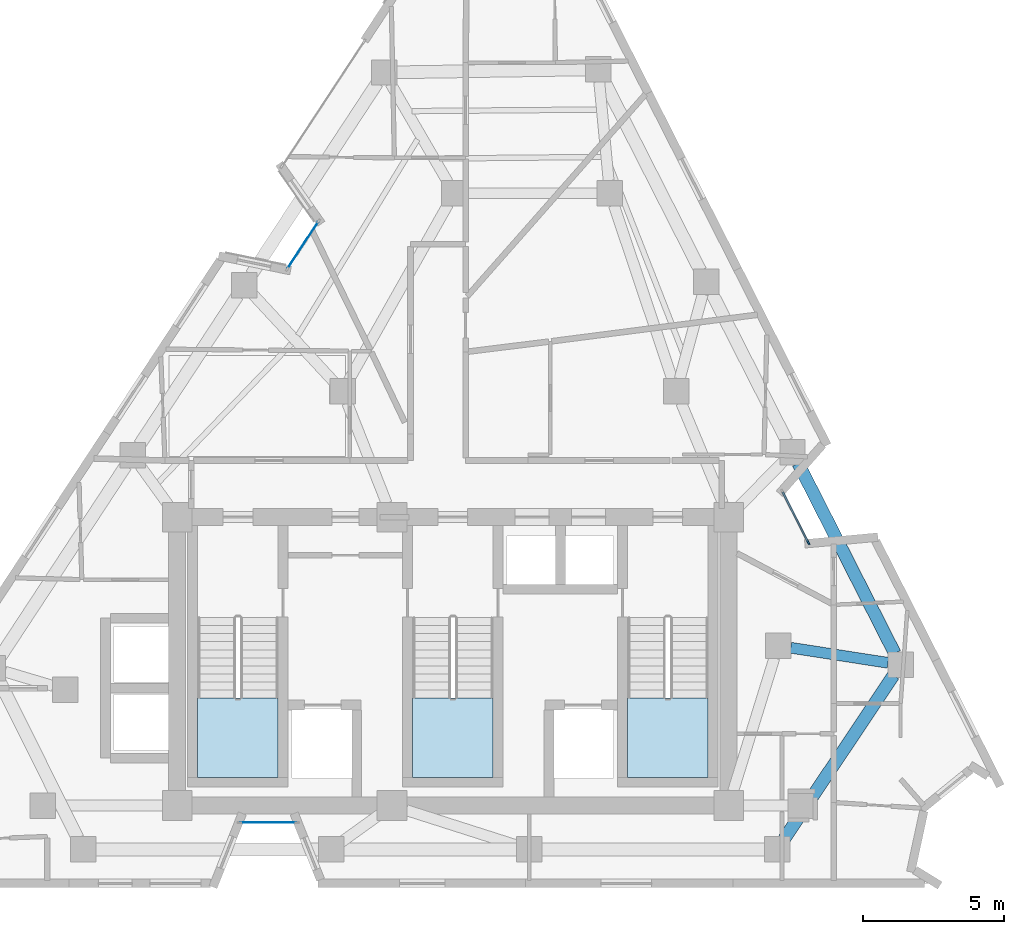
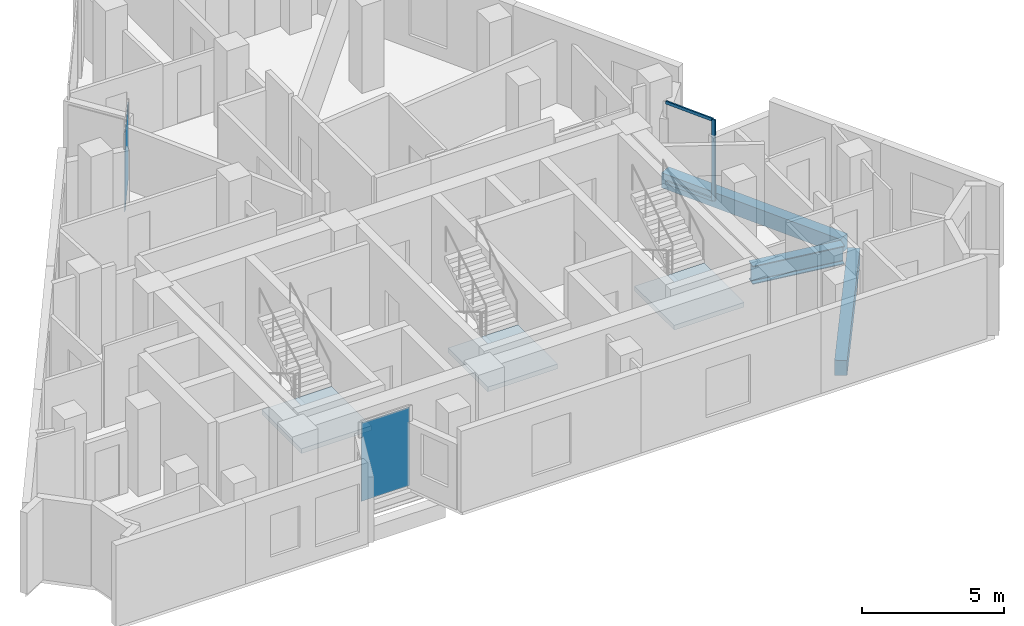
# One storey, part 4 of 10: 3 beams, 3 members, 3 slabs, 2 plates, 6 elements without a shape of their own.
"""IFC4 building model written with IfcOpenShell, lengths in metres."""

import ifcopenshell
import ifcopenshell.guid

model = None  # the IFC model being written
_history = None  # IfcOwnerHistory: only IFC2X3 demands one
_inside = {}  # id of a spatial element -> (the spatial element, [elements in it])
_under = {}  # id of a project, library or spatial element -> (it, [spatial elements below it])
_declared = {}  # id of a project -> (the project, [libraries it declares])
_typed = {}  # id of a type object -> (the type object, [elements of that type])
_made_of = {}  # id of a material, layer set ... -> (it, [elements and type objects made of it])


def new_model(schema):
    """Start an empty IFC model of exactly this schema.

    Asked for "IFC4X3", IfcOpenShell would pick the latest addendum, in which some entities
    have other attributes; the version numbers below select the first issue.
    IFC2X3 requires an IfcOwnerHistory on every rooted entity: one is made here for all.
    """
    global model, _history
    if schema == "IFC4X3":
        model = ifcopenshell.file(schema_version=(4, 3, 0, 0))
    else:
        model = ifcopenshell.file(schema=schema)
    _inside.clear()
    _under.clear()
    _declared.clear()
    _typed.clear()
    _made_of.clear()
    _history = None
    if model.schema == "IFC2X3":
        org = make("IfcOrganization", Name="unknown")
        user = make(
            "IfcPersonAndOrganization",
            ThePerson=make("IfcPerson", FamilyName="unknown"),
            TheOrganization=org,
        )
        app = make(
            "IfcApplication",
            ApplicationDeveloper=org,
            Version="unknown",
            ApplicationFullName="unknown",
            ApplicationIdentifier="unknown",
        )
        _history = make(
            "IfcOwnerHistory",
            OwningUser=user,
            OwningApplication=app,
            ChangeAction="ADDED",
            CreationDate=0,
        )
    return model


def make(cls, **values):
    """One entity of the class cls with the attributes given. An attribute that is None is left unset."""
    return model.create_entity(
        cls, **{name: value for name, value in values.items() if value is not None}
    )


def rooted(cls, **values):
    """An entity with a GlobalId (a new one), such as an element, a storey or a relation."""
    return make(cls, GlobalId=ifcopenshell.guid.new(), OwnerHistory=_history, **values)


def si_unit(unit_type, name, prefix=None):
    """IfcSIUnit, for example si_unit("LENGTHUNIT", "METRE", prefix="MILLI")."""
    return make("IfcSIUnit", UnitType=unit_type, Prefix=prefix, Name=name)


def assignment(units):
    """IfcUnitAssignment: the units of a project."""
    return None if units is None else make("IfcUnitAssignment", Units=units)


def point(xyz):
    """IfcCartesianPoint."""
    return None if xyz is None else make("IfcCartesianPoint", Coordinates=xyz)


def direction(xyz):
    """IfcDirection."""
    return None if xyz is None else make("IfcDirection", DirectionRatios=xyz)


def frame(location, z_axis=None, x_axis=None):
    """IfcAxis2Placement3D, a coordinate frame: its origin and axes. An axis left out is left unset."""
    return make(
        "IfcAxis2Placement3D",
        Location=point(location),
        Axis=direction(z_axis),
        RefDirection=direction(x_axis),
    )


def frame_2d(location, x_axis=None):
    """IfcAxis2Placement2D, a coordinate frame in the plane: its origin and x axis."""
    return make(
        "IfcAxis2Placement2D", Location=point(location), RefDirection=direction(x_axis)
    )


def origin():
    """The frame at (0, 0, 0) with its axes left unset."""
    return frame((0.0, 0.0, 0.0))


def origin_2d():
    """The frame at (0, 0) in the plane with its x axis left unset."""
    return frame_2d((0.0, 0.0))


def place(relative_to, where):
    """IfcLocalPlacement: puts the frame where relative to a parent placement (None: the world)."""
    return make(
        "IfcLocalPlacement", PlacementRelTo=relative_to, RelativePlacement=where
    )


def context(
    kind, dimensions, precision=None, world=None, true_north=None, identifier=None
):
    """IfcGeometricRepresentationContext, for example the 3D "Model" context."""
    return make(
        "IfcGeometricRepresentationContext",
        ContextIdentifier=identifier,
        ContextType=kind,
        CoordinateSpaceDimension=dimensions,
        Precision=precision,
        WorldCoordinateSystem=world,
        TrueNorth=true_north,
    )


def subcontext(parent, identifier, kind, view, scale=None):
    """IfcGeometricRepresentationSubContext, for example "Body" below "Model"."""
    return make(
        "IfcGeometricRepresentationSubContext",
        ContextIdentifier=identifier,
        ContextType=kind,
        ParentContext=parent,
        TargetScale=scale,
        TargetView=view,
    )


def project(units=None, contexts=None):
    """IfcProject with its units and contexts."""
    return rooted(
        "IfcProject",
        Name="project",
        RepresentationContexts=contexts,
        UnitsInContext=assignment(units),
    )


def spatial(cls, under=None, at=None, **own):
    """A site, building, storey or space (cls), placed at a placement, below another one or the project."""
    s = rooted(cls, ObjectPlacement=at, **own)
    if under is not None:
        _under.setdefault(under.id(), (under, []))[1].append(s)
    return s


def polyline(points):
    """IfcPolyline through the points."""
    return make("IfcPolyline", Points=[point(p) for p in points])


def profile(cls, at=None, kind="AREA", **sizes):
    """A parametric profile (cls). Its sizes go by their IFC names, for example OverallWidth=200.0."""
    return make(cls, ProfileType=kind, Position=at, **sizes)


def rectangle(**sizes):
    """IfcRectangleProfileDef."""
    return profile("IfcRectangleProfileDef", **sizes)


def i_section(**sizes):
    """IfcIShapeProfileDef."""
    return profile("IfcIShapeProfileDef", **sizes)


def outline(outer, holes=None, kind="AREA"):
    """IfcArbitraryClosedProfileDef: a profile drawn as a closed curve; with holes, ...WithVoids."""
    if holes is None:
        return make("IfcArbitraryClosedProfileDef", ProfileType=kind, OuterCurve=outer)
    return make(
        "IfcArbitraryProfileDefWithVoids",
        ProfileType=kind,
        OuterCurve=outer,
        InnerCurves=holes,
    )


def extrude(swept, where, along, depth):
    """IfcExtrudedAreaSolid: the profile swept, set in the frame where, extruded along a direction by depth."""
    return make(
        "IfcExtrudedAreaSolid",
        SweptArea=swept,
        Position=where,
        ExtrudedDirection=direction(along),
        Depth=depth,
    )


def shape(context_of_items, identifier, shape_type, items):
    """IfcShapeRepresentation: the items that make up one representation, for example the "Body"."""
    return make(
        "IfcShapeRepresentation",
        ContextOfItems=context_of_items,
        RepresentationIdentifier=identifier,
        RepresentationType=shape_type,
        Items=items,
    )


def material(Name=None, Category=None):
    """IfcMaterial."""
    return make("IfcMaterial", Name=Name, Category=Category)


def layer(
    of_material, thickness, ventilated=None, Name=None, Category=None, Priority=None
):
    """IfcMaterialLayer: one layer of a wall or slab, of a material (None: an air gap)."""
    return make(
        "IfcMaterialLayer",
        Material=of_material,
        LayerThickness=thickness,
        IsVentilated=ventilated,
        Name=Name,
        Category=Category,
        Priority=Priority,
    )


def layer_set(layers, Name=None):
    """IfcMaterialLayerSet."""
    return make("IfcMaterialLayerSet", MaterialLayers=layers, LayerSetName=Name)


def material_profile(
    of_material, cross_section, Name=None, Category=None, Priority=None
):
    """IfcMaterialProfile: a cross section and its material."""
    return make(
        "IfcMaterialProfile",
        Name=Name,
        Material=of_material,
        Profile=cross_section,
        Priority=Priority,
        Category=Category,
    )


def profile_set(profiles, Name=None, composite=None):
    """IfcMaterialProfileSet."""
    return make(
        "IfcMaterialProfileSet",
        Name=Name,
        MaterialProfiles=profiles,
        CompositeProfile=composite,
    )


def made_of(thing, what):
    """Note that an element or type object is made of a material, layer set ...; save() writes the relation."""
    if what is not None:
        _made_of.setdefault(what.id(), (what, []))[1].append(thing)
    return thing


def type_object(cls, material=None, **own):
    """A type object (cls), such as IfcWallType, which elements share."""
    return made_of(rooted(cls, **own), material)


def element(
    cls,
    number,
    at=None,
    inside=None,
    cuts=None,
    type_object=None,
    material=None,
    context=None,
    identifier="Body",
    shape_type=None,
    held_by="IfcProductDefinitionShape",
    body=None,
    shapes=None,
    **own,
):
    """One element of the class cls, such as IfcWall. Its Tag is "e" and its number.

    at: its placement. inside: the storey or other place that contains it. cuts: it is an
    opening in that element (IfcRelVoidsElement). A single representation is given by context,
    identifier, shape_type and body (its items); several are given by shapes. held_by: the class
    of the entity that holds the representations. save() writes the other relations.
    """
    e = rooted(cls, Tag="e%d" % number, ObjectPlacement=at, **own)
    if body is not None:
        shapes = [shape(context, identifier, shape_type, body)]
    if shapes is not None:
        e.Representation = make(held_by, Representations=shapes)
    if inside is not None:
        _inside.setdefault(inside.id(), (inside, []))[1].append(e)
    if cuts is not None:
        rooted(
            "IfcRelVoidsElement", RelatingBuildingElement=cuts, RelatedOpeningElement=e
        )
    if type_object is not None:
        _typed.setdefault(type_object.id(), (type_object, []))[1].append(e)
    return made_of(e, material)


def aggregate(whole, parts):
    """IfcRelAggregates: a whole, such as a stair, and the parts it consists of."""
    return rooted("IfcRelAggregates", RelatingObject=whole, RelatedObjects=parts)


def save(model, path):
    """Write the relations noted so far, then the file.

    IfcRelAggregates (storeys below a building ...), IfcRelContainedInSpatialStructure (elements
    in a storey), IfcRelDefinesByType, IfcRelAssociatesMaterial and IfcRelDeclares: one each for
    every whole, place, type object, material and project.
    """
    for whole, parts in _under.values():
        aggregate(whole, parts)
    for where, things in _inside.values():
        rooted(
            "IfcRelContainedInSpatialStructure",
            RelatedElements=things,
            RelatingStructure=where,
        )
    for kind, things in _typed.values():
        rooted("IfcRelDefinesByType", RelatedObjects=things, RelatingType=kind)
    for what, things in _made_of.values():
        rooted("IfcRelAssociatesMaterial", RelatedObjects=things, RelatingMaterial=what)
    for by, libraries in _declared.values():
        rooted("IfcRelDeclares", RelatingContext=by, RelatedDefinitions=libraries)
    model.write(path)


model = new_model("IFC4")

# Units and contexts
model_context = context("Model", 3, precision=1e-05, world=origin(), true_north=direction((0.0, 1.0)))
body_context = subcontext(model_context, "Body", "Model", "MODEL_VIEW")
ifc_project = project(units=[si_unit("LENGTHUNIT", "METRE"), si_unit("AREAUNIT", "SQUARE_METRE"), si_unit("VOLUMEUNIT", "CUBIC_METRE"), si_unit("PLANEANGLEUNIT", "RADIAN"), si_unit("MASSUNIT", "GRAM", prefix="KILO")], contexts=[model_context])

# Site, building, storey
site_placement = place(None, origin())
site = spatial("IfcSite", under=ifc_project, at=site_placement, CompositionType="ELEMENT")
building_placement = place(site_placement, origin())
building = spatial("IfcBuilding", under=site, at=building_placement, Name="Almagre Mirador Tower", CompositionType="ELEMENT")
storey_placement = place(building_placement, frame((0.0, 0.0, 233.25)))
storey = spatial("IfcBuildingStorey", under=building, at=storey_placement, Name="L60", CompositionType="ELEMENT", Elevation=233.25)

# Beams
ifc_material_1 = material(Name="Precast concrete C50/60", Category="concrete")
ifc_material_profile_1 = material_profile(ifc_material_1, rectangle(XDim=0.449951171875, YDim=0.64990234375, at=origin_2d()), Name="RC450X650")
ifc_profile_set_1 = profile_set([ifc_material_profile_1], Name="Precast concrete C50/60")
beam_type_1 = type_object("IfcBeamType", Name="BM-SPN-RC450X650", PredefinedType="SPANDREL", material=ifc_profile_set_1)
beam_1_placement = place(storey_placement, frame((49.01416015625, 3.3740234375, -0.574951171875), z_axis=(0.555688352968, 0.831390674939, 0.0), x_axis=(-0.831390674939, 0.555688352968, 0.0)))
element("IfcBeam", 1, at=beam_1_placement, inside=storey, type_object=beam_type_1, Name="L60 perimeter spandrel beam PC04-PC05", PredefinedType="SPANDREL", context=body_context, shape_type="SweptSolid", body=[
    extrude(rectangle(XDim=0.449951171875, YDim=0.64990234375, at=origin_2d()), origin(), (0.0, 0.0, 1.0), 6.953125),
])
beam_2_placement = place(storey_placement, frame((52.92431640625, 9.93017578125, -0.574951171875), z_axis=(-0.452920240804, 0.891551039184, 0.0), x_axis=(-0.891551039184, -0.452920240804, 0.0)))
element("IfcBeam", 2, at=beam_2_placement, inside=storey, type_object=beam_type_1, Name="L60 perimeter spandrel beam PC05-PC06", PredefinedType="SPANDREL", context=body_context, shape_type="SweptSolid", body=[
    extrude(rectangle(XDim=0.449951171875, YDim=0.64990234375, at=origin_2d()), origin(), (0.0, 0.0, 1.0), 7.53466796875),
])
ifc_material_2 = material(Name="Steel ASTM A992 Grade 50", Category="steel")
ifc_material_profile_2 = material_profile(ifc_material_2, i_section(OverallWidth=0.384033203125, OverallDepth=0.784912109375, WebThickness=0.019775390625, FlangeThickness=0.033447265625, FilletRadius=0.02392578125, at=origin_2d()), Name="W30X211")
ifc_profile_set_2 = profile_set([ifc_material_profile_2], Name="Steel ASTM A992 Grade 50")
beam_type_2 = type_object("IfcBeamType", Name="BM-STL-W30X211", PredefinedType="BEAM", material=ifc_profile_set_2)
beam_3_placement = place(storey_placement, frame((52.683349609375, 9.597900390625, -0.642578125), z_axis=(-0.988190943166, 0.153227477449, 0.0), x_axis=(-0.153227477449, -0.988190943166, 0.0)))
element("IfcBeam", 3, at=beam_3_placement, inside=storey, type_object=beam_type_2, Name="L60 radial floor girder PC05-MC3", PredefinedType="BEAM", context=body_context, shape_type="SweptSolid", body=[
    extrude(i_section(OverallWidth=0.384033203125, OverallDepth=0.784912109375, WebThickness=0.019775390625, FlangeThickness=0.033447265625, FilletRadius=0.02392578125, at=origin_2d()), origin(), (0.0, 0.0, 1.0), 3.479736328125),
])

# Curtain wall, members
ifc_material_3 = material(Name="Black anodized aluminium", Category="aluminium")
ifc_layer_1 = layer(ifc_material_3, 0.169921875)
ifc_layer_set_1 = layer_set([ifc_layer_1], Name="Black anodized aluminium")
curtain_wall_type = type_object("IfcCurtainWallType", Name="CW-CRS-SYS", PredefinedType="NOTDEFINED", material=ifc_layer_set_1)
curtain_wall_1_placement = place(storey_placement, origin())
curtain_wall_1 = element("IfcCurtainWall", 4, at=curtain_wall_1_placement, inside=storey, type_object=curtain_wall_type, Name="L60 vertical crease curtain wall 03", PredefinedType="NOTDEFINED")
ifc_material_4 = material(Name="Black anodized aluminium", Category="aluminium")
ifc_material_profile_3 = material_profile(ifc_material_4, rectangle(XDim=0.06005859375, YDim=0.14990234375, at=origin_2d()), Name="CWM60X150")
ifc_profile_set_3 = profile_set([ifc_material_profile_3], Name="Black anodized aluminium")
member_type_1 = type_object("IfcMemberType", Name="MBR-CWM60X150", PredefinedType="MULLION", material=ifc_profile_set_3)
member_1_placement = place(storey_placement, frame((49.869384765625, 13.8466796875, 0.0), z_axis=(0.0, 0.0, 1.0), x_axis=(0.891440826217, 0.453137124227, 0.0)))
member_1 = element("IfcMember", 5, at=member_1_placement, type_object=member_type_1, Name="CW-4 mullion 2", PredefinedType="MULLION", context=body_context, shape_type="SweptSolid", body=[
    extrude(rectangle(XDim=0.06005859375, YDim=0.14990234375, at=origin_2d()), origin(), (0.0, 0.0, 1.0), 3.5),
])
ifc_material_5 = material(Name="Black anodized aluminium", Category="aluminium")
ifc_material_profile_4 = material_profile(ifc_material_5, rectangle(XDim=0.06005859375, YDim=0.1298828125, at=origin_2d()), Name="CWT60X130")
ifc_profile_set_4 = profile_set([ifc_material_profile_4], Name="Black anodized aluminium")
member_type_2 = type_object("IfcMemberType", Name="MBR-CWT60X130", PredefinedType="USERDEFINED", material=ifc_profile_set_4)
member_2_placement = place(storey_placement, frame((48.963134765625, 15.62939453125, 0.030029296875), z_axis=(0.453153196695, -0.89143265608, 0.0), x_axis=(0.89143265608, 0.453153196695, 0.0)))
member_2 = element("IfcMember", 6, at=member_2_placement, type_object=member_type_2, Name="CW-4 transom 1.1", ObjectType="TRANSOM", PredefinedType="USERDEFINED", context=body_context, shape_type="SweptSolid", body=[
    extrude(rectangle(XDim=0.06005859375, YDim=0.1298828125, at=origin_2d()), origin(), (0.0, 0.0, 1.0), 1.9697265625),
])
member_3_placement = place(storey_placement, frame((48.963134765625, 15.62939453125, 3.469970703125), z_axis=(0.453153196695, -0.89143265608, 0.0), x_axis=(0.89143265608, 0.453153196695, 0.0)))
member_3 = element("IfcMember", 7, at=member_3_placement, type_object=member_type_2, Name="CW-4 transom 1.2", ObjectType="TRANSOM", PredefinedType="USERDEFINED", context=body_context, shape_type="SweptSolid", body=[
    extrude(rectangle(XDim=0.06005859375, YDim=0.1298828125, at=origin_2d()), origin(), (0.0, 0.0, 1.0), 1.9697265625),
])
aggregate(curtain_wall_1, [member_1, member_2, member_3])

# Curtain wall, plate
curtain_wall_2_placement = place(storey_placement, origin())
curtain_wall_2 = element("IfcCurtainWall", 8, at=curtain_wall_2_placement, inside=storey, type_object=curtain_wall_type, Name="L60 vertical crease curtain wall 01", PredefinedType="NOTDEFINED")
ifc_material_6 = material(Name="Dark solar-control laminated hurricane glass", Category="glass")
ifc_layer_2 = layer(ifc_material_6, 0.028076171875)
ifc_layer_set_2 = layer_set([ifc_layer_2], Name="Dark solar-control laminated hurricane glass")
plate_type = type_object("IfcPlateType", Name="PLT-GLZ-28", PredefinedType="CURTAIN_PANEL", material=ifc_layer_set_2)
plate_1_placement = place(storey_placement, frame((31.99609375, 24.365478515625, 0.06005859375), z_axis=(0.0, 0.0, 1.0), x_axis=(0.549168341049, 0.835711752454, 0.0)))
plate_1 = element("IfcPlate", 9, at=plate_1_placement, type_object=plate_type, Name="CW-4 panel 1.1", PredefinedType="CURTAIN_PANEL", context=body_context, shape_type="SweptSolid", body=[
    extrude(rectangle(XDim=1.970458984375, YDim=0.028076171875, at=origin_2d()), origin(), (0.0, 0.0, 1.0), 3.3798828125),
])
aggregate(curtain_wall_2, [plate_1])

curtain_wall_3_placement = place(storey_placement, origin())
curtain_wall_3 = element("IfcCurtainWall", 10, at=curtain_wall_3_placement, inside=storey, type_object=curtain_wall_type, Name="L60 vertical crease curtain wall 04", PredefinedType="NOTDEFINED")
plate_2_placement = place(storey_placement, frame((30.77197265625, 3.949951171875, 0.06005859375), z_axis=(0.0, 0.0, 1.0), x_axis=(-1.0, 0.0, 0.0)))
plate_2 = element("IfcPlate", 11, at=plate_2_placement, type_object=plate_type, Name="CW-4 panel 1.1", PredefinedType="CURTAIN_PANEL", context=body_context, shape_type="SweptSolid", body=[
    extrude(rectangle(XDim=1.969970703125, YDim=0.028076171875, at=origin_2d()), origin(), (0.0, 0.0, 1.0), 3.3798828125),
])
aggregate(curtain_wall_3, [plate_2])

# Stair, slab
ifc_material_7 = material(Name="Concrete C45/55", Category="concrete")
stair_type = type_object("IfcStairType", Name="STR-DL-3750", PredefinedType="HALF_TURN_STAIR", material=ifc_material_7)
stair_1_placement = place(storey_placement, origin())
stair_1 = element("IfcStair", 12, at=stair_1_placement, inside=storey, type_object=stair_type, Name="L60 Protected exit stair ST-1", PredefinedType="HALF_TURN_STAIR")
ifc_material_8 = material(Name="Concrete C45/55", Category="concrete")
ifc_layer_3 = layer(ifc_material_8, 0.199951171875)
ifc_layer_set_3 = layer_set([ifc_layer_3], Name="Concrete C45/55")
slab_type = type_object("IfcSlabType", Name="SLB-LND-200", PredefinedType="LANDING", material=ifc_layer_set_3)
slab_1_placement = place(storey_placement, frame((0.0, 0.0, 1.675048828125)))
slab_1 = element("IfcSlab", 13, at=slab_1_placement, type_object=slab_type, Name="ST-1 landing 1", PredefinedType="LANDING", context=body_context, shape_type="SweptSolid", body=[
    extrude(outline(polyline([(28.27490234375, 8.35009765625), (28.27490234375, 5.550048828125), (31.125, 5.550048828125), (31.125, 8.35009765625), (28.27490234375, 8.35009765625)])), origin(), (0.0, 0.0, 1.0), 0.199951171875),
])
aggregate(stair_1, [slab_1])

stair_2_placement = place(storey_placement, origin())
stair_2 = element("IfcStair", 14, at=stair_2_placement, inside=storey, type_object=stair_type, Name="L60 Protected exit stair ST-2", PredefinedType="HALF_TURN_STAIR")
slab_2_placement = place(storey_placement, frame((0.0, 0.0, 1.675048828125)))
slab_2 = element("IfcSlab", 15, at=slab_2_placement, type_object=slab_type, Name="ST-2 landing 1", PredefinedType="LANDING", context=body_context, shape_type="SweptSolid", body=[
    extrude(outline(polyline([(35.875, 8.35009765625), (35.875, 5.550048828125), (38.72509765625, 5.550048828125), (38.72509765625, 8.35009765625), (35.875, 8.35009765625)])), origin(), (0.0, 0.0, 1.0), 0.199951171875),
])
aggregate(stair_2, [slab_2])

stair_3_placement = place(storey_placement, origin())
stair_3 = element("IfcStair", 16, at=stair_3_placement, inside=storey, type_object=stair_type, Name="L60 Protected exit stair ST-3", PredefinedType="HALF_TURN_STAIR")
slab_3_placement = place(storey_placement, frame((0.0, 0.0, 1.675048828125)))
slab_3 = element("IfcSlab", 17, at=slab_3_placement, type_object=slab_type, Name="ST-3 landing 1", PredefinedType="LANDING", context=body_context, shape_type="SweptSolid", body=[
    extrude(outline(polyline([(43.47509765625, 8.35009765625), (43.47509765625, 5.550048828125), (46.324951171875, 5.550048828125), (46.324951171875, 8.35009765625), (43.47509765625, 8.35009765625)])), origin(), (0.0, 0.0, 1.0), 0.199951171875),
])
aggregate(stair_3, [slab_3])

save(model, "model.ifc")
